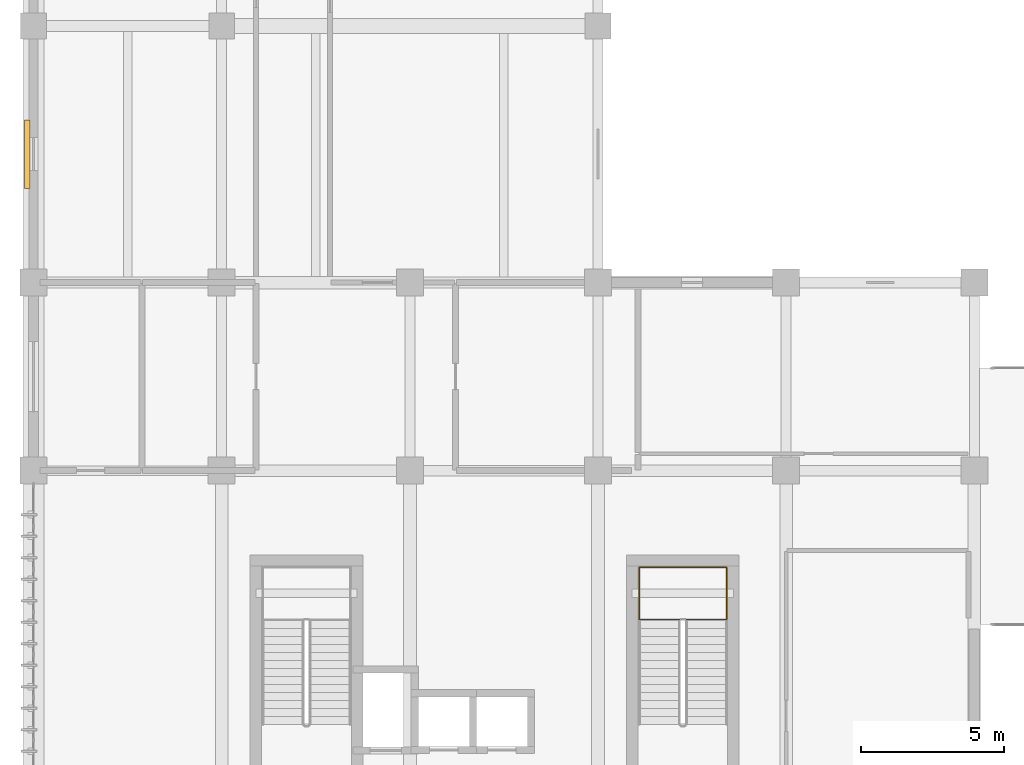
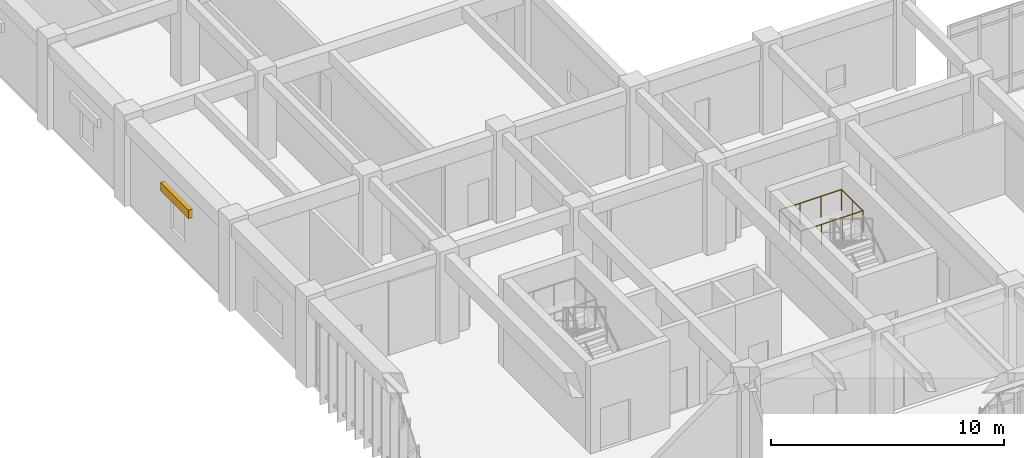
# One storey, part 61 of 68: 2 railings, 1 shading device.
"""IFC4 building model written with IfcOpenShell, lengths in metres."""

import ifcopenshell
import ifcopenshell.guid

model = None  # the IFC model being written
_history = None  # IfcOwnerHistory: only IFC2X3 demands one
_inside = {}  # id of a spatial element -> (the spatial element, [elements in it])
_under = {}  # id of a project, library or spatial element -> (it, [spatial elements below it])
_declared = {}  # id of a project -> (the project, [libraries it declares])
_typed = {}  # id of a type object -> (the type object, [elements of that type])
_made_of = {}  # id of a material, layer set ... -> (it, [elements and type objects made of it])


def new_model(schema):
    """Start an empty IFC model of exactly this schema.

    Asked for "IFC4X3", IfcOpenShell would pick the latest addendum, in which some entities
    have other attributes; the version numbers below select the first issue.
    IFC2X3 requires an IfcOwnerHistory on every rooted entity: one is made here for all.
    """
    global model, _history
    if schema == "IFC4X3":
        model = ifcopenshell.file(schema_version=(4, 3, 0, 0))
    else:
        model = ifcopenshell.file(schema=schema)
    _inside.clear()
    _under.clear()
    _declared.clear()
    _typed.clear()
    _made_of.clear()
    _history = None
    if model.schema == "IFC2X3":
        org = make("IfcOrganization", Name="unknown")
        user = make(
            "IfcPersonAndOrganization",
            ThePerson=make("IfcPerson", FamilyName="unknown"),
            TheOrganization=org,
        )
        app = make(
            "IfcApplication",
            ApplicationDeveloper=org,
            Version="unknown",
            ApplicationFullName="unknown",
            ApplicationIdentifier="unknown",
        )
        _history = make(
            "IfcOwnerHistory",
            OwningUser=user,
            OwningApplication=app,
            ChangeAction="ADDED",
            CreationDate=0,
        )
    return model


def make(cls, **values):
    """One entity of the class cls with the attributes given. An attribute that is None is left unset."""
    return model.create_entity(
        cls, **{name: value for name, value in values.items() if value is not None}
    )


def rooted(cls, **values):
    """An entity with a GlobalId (a new one), such as an element, a storey or a relation."""
    return make(cls, GlobalId=ifcopenshell.guid.new(), OwnerHistory=_history, **values)


def si_unit(unit_type, name, prefix=None):
    """IfcSIUnit, for example si_unit("LENGTHUNIT", "METRE", prefix="MILLI")."""
    return make("IfcSIUnit", UnitType=unit_type, Prefix=prefix, Name=name)


def assignment(units):
    """IfcUnitAssignment: the units of a project."""
    return None if units is None else make("IfcUnitAssignment", Units=units)


def point(xyz):
    """IfcCartesianPoint."""
    return None if xyz is None else make("IfcCartesianPoint", Coordinates=xyz)


def direction(xyz):
    """IfcDirection."""
    return None if xyz is None else make("IfcDirection", DirectionRatios=xyz)


def frame(location, z_axis=None, x_axis=None):
    """IfcAxis2Placement3D, a coordinate frame: its origin and axes. An axis left out is left unset."""
    return make(
        "IfcAxis2Placement3D",
        Location=point(location),
        Axis=direction(z_axis),
        RefDirection=direction(x_axis),
    )


def frame_2d(location, x_axis=None):
    """IfcAxis2Placement2D, a coordinate frame in the plane: its origin and x axis."""
    return make(
        "IfcAxis2Placement2D", Location=point(location), RefDirection=direction(x_axis)
    )


def origin():
    """The frame at (0, 0, 0) with its axes left unset."""
    return frame((0.0, 0.0, 0.0))


def origin_2d():
    """The frame at (0, 0) in the plane with its x axis left unset."""
    return frame_2d((0.0, 0.0))


def place(relative_to, where):
    """IfcLocalPlacement: puts the frame where relative to a parent placement (None: the world)."""
    return make(
        "IfcLocalPlacement", PlacementRelTo=relative_to, RelativePlacement=where
    )


def context(
    kind, dimensions, precision=None, world=None, true_north=None, identifier=None
):
    """IfcGeometricRepresentationContext, for example the 3D "Model" context."""
    return make(
        "IfcGeometricRepresentationContext",
        ContextIdentifier=identifier,
        ContextType=kind,
        CoordinateSpaceDimension=dimensions,
        Precision=precision,
        WorldCoordinateSystem=world,
        TrueNorth=true_north,
    )


def subcontext(parent, identifier, kind, view, scale=None):
    """IfcGeometricRepresentationSubContext, for example "Body" below "Model"."""
    return make(
        "IfcGeometricRepresentationSubContext",
        ContextIdentifier=identifier,
        ContextType=kind,
        ParentContext=parent,
        TargetScale=scale,
        TargetView=view,
    )


def project(units=None, contexts=None):
    """IfcProject with its units and contexts."""
    return rooted(
        "IfcProject",
        Name="project",
        RepresentationContexts=contexts,
        UnitsInContext=assignment(units),
    )


def spatial(cls, under=None, at=None, **own):
    """A site, building, storey or space (cls), placed at a placement, below another one or the project."""
    s = rooted(cls, ObjectPlacement=at, **own)
    if under is not None:
        _under.setdefault(under.id(), (under, []))[1].append(s)
    return s


def profile(cls, at=None, kind="AREA", **sizes):
    """A parametric profile (cls). Its sizes go by their IFC names, for example OverallWidth=200.0."""
    return make(cls, ProfileType=kind, Position=at, **sizes)


def rectangle(**sizes):
    """IfcRectangleProfileDef."""
    return profile("IfcRectangleProfileDef", **sizes)


def circle(**sizes):
    """IfcCircleProfileDef."""
    return profile("IfcCircleProfileDef", **sizes)


def extrude(swept, where, along, depth):
    """IfcExtrudedAreaSolid: the profile swept, set in the frame where, extruded along a direction by depth."""
    return make(
        "IfcExtrudedAreaSolid",
        SweptArea=swept,
        Position=where,
        ExtrudedDirection=direction(along),
        Depth=depth,
    )


def shape(context_of_items, identifier, shape_type, items):
    """IfcShapeRepresentation: the items that make up one representation, for example the "Body"."""
    return make(
        "IfcShapeRepresentation",
        ContextOfItems=context_of_items,
        RepresentationIdentifier=identifier,
        RepresentationType=shape_type,
        Items=items,
    )


def material(Name=None, Category=None):
    """IfcMaterial."""
    return make("IfcMaterial", Name=Name, Category=Category)


def layer(
    of_material, thickness, ventilated=None, Name=None, Category=None, Priority=None
):
    """IfcMaterialLayer: one layer of a wall or slab, of a material (None: an air gap)."""
    return make(
        "IfcMaterialLayer",
        Material=of_material,
        LayerThickness=thickness,
        IsVentilated=ventilated,
        Name=Name,
        Category=Category,
        Priority=Priority,
    )


def layer_set(layers, Name=None):
    """IfcMaterialLayerSet."""
    return make("IfcMaterialLayerSet", MaterialLayers=layers, LayerSetName=Name)


def made_of(thing, what):
    """Note that an element or type object is made of a material, layer set ...; save() writes the relation."""
    if what is not None:
        _made_of.setdefault(what.id(), (what, []))[1].append(thing)
    return thing


def type_object(cls, material=None, **own):
    """A type object (cls), such as IfcWallType, which elements share."""
    return made_of(rooted(cls, **own), material)


def element(
    cls,
    number,
    at=None,
    inside=None,
    cuts=None,
    type_object=None,
    material=None,
    context=None,
    identifier="Body",
    shape_type=None,
    held_by="IfcProductDefinitionShape",
    body=None,
    shapes=None,
    **own,
):
    """One element of the class cls, such as IfcWall. Its Tag is "e" and its number.

    at: its placement. inside: the storey or other place that contains it. cuts: it is an
    opening in that element (IfcRelVoidsElement). A single representation is given by context,
    identifier, shape_type and body (its items); several are given by shapes. held_by: the class
    of the entity that holds the representations. save() writes the other relations.
    """
    e = rooted(cls, Tag="e%d" % number, ObjectPlacement=at, **own)
    if body is not None:
        shapes = [shape(context, identifier, shape_type, body)]
    if shapes is not None:
        e.Representation = make(held_by, Representations=shapes)
    if inside is not None:
        _inside.setdefault(inside.id(), (inside, []))[1].append(e)
    if cuts is not None:
        rooted(
            "IfcRelVoidsElement", RelatingBuildingElement=cuts, RelatedOpeningElement=e
        )
    if type_object is not None:
        _typed.setdefault(type_object.id(), (type_object, []))[1].append(e)
    return made_of(e, material)


def aggregate(whole, parts):
    """IfcRelAggregates: a whole, such as a stair, and the parts it consists of."""
    return rooted("IfcRelAggregates", RelatingObject=whole, RelatedObjects=parts)


def save(model, path):
    """Write the relations noted so far, then the file.

    IfcRelAggregates (storeys below a building ...), IfcRelContainedInSpatialStructure (elements
    in a storey), IfcRelDefinesByType, IfcRelAssociatesMaterial and IfcRelDeclares: one each for
    every whole, place, type object, material and project.
    """
    for whole, parts in _under.values():
        aggregate(whole, parts)
    for where, things in _inside.values():
        rooted(
            "IfcRelContainedInSpatialStructure",
            RelatedElements=things,
            RelatingStructure=where,
        )
    for kind, things in _typed.values():
        rooted("IfcRelDefinesByType", RelatedObjects=things, RelatingType=kind)
    for what, things in _made_of.values():
        rooted("IfcRelAssociatesMaterial", RelatedObjects=things, RelatingMaterial=what)
    for by, libraries in _declared.values():
        rooted("IfcRelDeclares", RelatingContext=by, RelatedDefinitions=libraries)
    model.write(path)


model = new_model("IFC4")

# Units and contexts
model_context = context("Model", 3, precision=1e-05, world=origin(), true_north=direction((0.0, 1.0)))
body_context = subcontext(model_context, "Body", "Model", "MODEL_VIEW")
ifc_project = project(units=[si_unit("LENGTHUNIT", "METRE"), si_unit("AREAUNIT", "SQUARE_METRE"), si_unit("VOLUMEUNIT", "CUBIC_METRE"), si_unit("PLANEANGLEUNIT", "RADIAN"), si_unit("MASSUNIT", "GRAM", prefix="KILO")], contexts=[model_context])

# Site, building, storey
site_placement = place(None, origin())
site = spatial("IfcSite", under=ifc_project, at=site_placement, CompositionType="ELEMENT")
building_placement = place(site_placement, origin())
building = spatial("IfcBuilding", under=site, at=building_placement, Name="Miralva Faculty of Natural Sciences", CompositionType="ELEMENT")
storey_placement = place(building_placement, frame((0.0, 0.0, 5.39990234375)))
storey = spatial("IfcBuildingStorey", under=building, at=storey_placement, Name="L01", CompositionType="ELEMENT", Elevation=5.39990234375)

# Railings
ifc_material_1 = material(Name="Steel S355", Category="steel")
railing_type = type_object("IfcRailingType", Name="RL-GR01", PredefinedType="GUARDRAIL", material=ifc_material_1)
railing_1_placement = place(storey_placement, frame((24.239990234375, 18.179931640625, 2.400146484375)))
element("IfcRailing", 1, at=railing_1_placement, inside=storey, type_object=railing_type, Name="Stair Core C1B half-landing guard L01-1A", PredefinedType="GUARDRAIL", context=body_context, shape_type="SweptSolid", body=[
    extrude(circle(Radius=0.02392578125, at=origin_2d()), frame((0.0, 0.0, 1.09619140625), z_axis=(0.0, 1.0, 0.0), x_axis=(-1.0, 0.0, 0.0)), (0.0, 0.0, 1.0), 1.830078125),
    extrude(circle(Radius=0.02392578125, at=origin_2d()), frame((0.0, 1.830078125, 1.09619140625), z_axis=(1.0, 0.0, 0.0), x_axis=(0.0, 1.0, 0.0)), (0.0, 0.0, 1.0), 3.070068359375),
    extrude(circle(Radius=0.02099609375, at=origin_2d()), origin(), (0.0, 0.0, 1.0), 1.072021484375),
    extrude(circle(Radius=0.02099609375, at=origin_2d()), frame((0.0, 0.9150390625, 0.0)), (0.0, 0.0, 1.0), 1.072021484375),
    extrude(circle(Radius=0.02099609375, at=origin_2d()), frame((0.0, 1.830078125, 0.0)), (0.0, 0.0, 1.0), 1.072021484375),
    extrude(circle(Radius=0.02099609375, at=origin_2d()), frame((1.0234375, 1.830078125, 0.0)), (0.0, 0.0, 1.0), 1.072021484375),
    extrude(circle(Radius=0.02099609375, at=origin_2d()), frame((2.046630859375, 1.830078125, 0.0)), (0.0, 0.0, 1.0), 1.072021484375),
    extrude(circle(Radius=0.02099609375, at=origin_2d()), frame((3.070068359375, 1.830078125, 0.0)), (0.0, 0.0, 1.0), 1.072021484375),
])
railing_2_placement = place(storey_placement, frame((27.31005859375, 20.010009765625, 2.400146484375)))
element("IfcRailing", 2, at=railing_2_placement, inside=storey, type_object=railing_type, Name="Stair Core C1B half-landing guard L01-1B", PredefinedType="GUARDRAIL", context=body_context, shape_type="SweptSolid", body=[
    extrude(circle(Radius=0.02392578125, at=origin_2d()), frame((0.0, 0.0, 1.09619140625), z_axis=(0.0, -1.0, 0.0), x_axis=(1.0, 0.0, 0.0)), (0.0, 0.0, 1.0), 1.830078125),
    extrude(circle(Radius=0.02392578125, at=origin_2d()), frame((0.0, -1.830078125, 1.09619140625), z_axis=(-1.0, 0.0, 0.0), x_axis=(0.0, -1.0, 0.0)), (0.0, 0.0, 1.0), 3.070068359375),
    extrude(circle(Radius=0.02099609375, at=origin_2d()), origin(), (0.0, 0.0, 1.0), 1.072021484375),
    extrude(circle(Radius=0.02099609375, at=origin_2d()), frame((0.0, -0.9150390625, 0.0)), (0.0, 0.0, 1.0), 1.072021484375),
    extrude(circle(Radius=0.02099609375, at=origin_2d()), frame((0.0, -1.830078125, 0.0)), (0.0, 0.0, 1.0), 1.072021484375),
    extrude(circle(Radius=0.02099609375, at=origin_2d()), frame((-1.0234375, -1.830078125, 0.0)), (0.0, 0.0, 1.0), 1.072021484375),
    extrude(circle(Radius=0.02099609375, at=origin_2d()), frame((-2.046630859375, -1.830078125, 0.0)), (0.0, 0.0, 1.0), 1.072021484375),
    extrude(circle(Radius=0.02099609375, at=origin_2d()), frame((-3.070068359375, -1.830078125, 0.0)), (0.0, 0.0, 1.0), 1.072021484375),
])

# Shading device
ifc_material_2 = material(Name="Anodised aluminium", Category="aluminium")
ifc_layer = layer(ifc_material_2, 0.1201171875, Name="SHD-SH01")
ifc_layer_set = layer_set([ifc_layer], Name="Anodised aluminium")
shading_device_type = type_object("IfcShadingDeviceType", Name="SHD-SH01", PredefinedType="SHUTTER", material=ifc_layer_set)
shading_device_placement = place(storey_placement, frame((2.780029296875, 34.5, 2.52490234375), z_axis=(0.0, 0.0, 1.0), x_axis=(1.0, 0.0, 0.0)))
element("IfcShadingDevice", 3, at=shading_device_placement, inside=storey, type_object=shading_device_type, Name="West laboratory sun-shutter L01-1", PredefinedType="SHUTTER", context=body_context, shape_type="SweptSolid", body=[
    extrude(rectangle(XDim=0.199951171875, YDim=2.39990234375, at=origin_2d()), origin(), (0.0, 0.0, 1.0), 0.449951171875),
])

save(model, "model.ifc")
